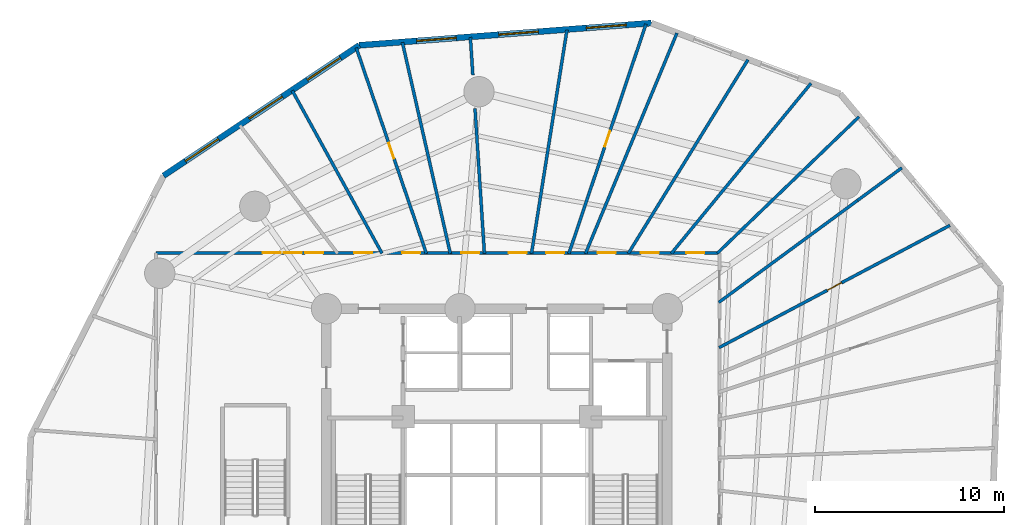
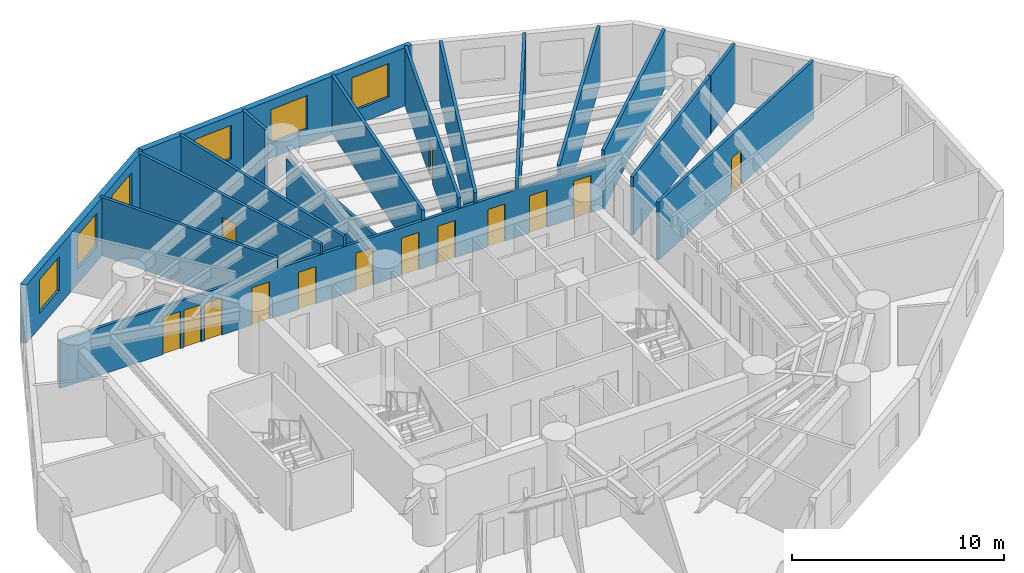
# One storey, part 6 of 8: 17 walls, 14 doors, 6 windows, 20 openings.
"""IFC4 building model written with IfcOpenShell, lengths in metres."""

from ifc_helpers import new_model, si_unit, direction, frame, frame_2d, origin, origin_with_axes, place, context, subcontext, project, spatial, rectangle, extrude, source, transform, mapped, material, layer, layer_set, type_object, element, fill, save


model = new_model("IFC4")

# Units and contexts
model_context = context("Model", 3, precision=1e-05, world=origin(), true_north=direction((0.0, 1.0)))
body_context = subcontext(model_context, "Body", "Model", "MODEL_VIEW")
ifc_project = project(units=[si_unit("LENGTHUNIT", "METRE"), si_unit("AREAUNIT", "SQUARE_METRE"), si_unit("VOLUMEUNIT", "CUBIC_METRE"), si_unit("PLANEANGLEUNIT", "RADIAN"), si_unit("MASSUNIT", "GRAM", prefix="KILO")], contexts=[model_context])

# Site, building, storey
site_placement = place(None, origin())
site = spatial("IfcSite", under=ifc_project, at=site_placement, CompositionType="ELEMENT")
building_placement = place(site_placement, origin())
building = spatial("IfcBuilding", under=site, at=building_placement, Name="Karkom Vertical University and Central Library", CompositionType="ELEMENT")
storey_placement = place(building_placement, frame((0.0, 0.0, 40.89990234375)))
storey = spatial("IfcBuildingStorey", under=building, at=storey_placement, Name="L10", CompositionType="ELEMENT", Elevation=40.89990234375)

# Wall, openings, windows
ifc_material_1 = material(Name="Brick-faced precast concrete C45/55", Category="masonry")
ifc_layer_1 = layer(ifc_material_1, 0.320068359375)
ifc_layer_set_1 = layer_set([ifc_layer_1], Name="Brick-faced precast concrete C45/55")
wall_type_1 = type_object("IfcWallType", Name="ENV-WL-BRK-320", PredefinedType="SOLIDWALL", material=ifc_layer_set_1)
wall_1_placement = place(storey_placement, frame((21.23193359375, 48.6083984375, 0.0), z_axis=(0.0, 0.0, 1.0), x_axis=(-0.832150043839, -0.554550542816, 0.0)))
wall_1 = element("IfcWall", 1, at=wall_1_placement, inside=storey, type_object=wall_type_1, Name="Level 10 Brick-Faced Precast Facade Wall 01", PredefinedType="SOLIDWALL", context=body_context, shape_type="SweptSolid", body=[
    extrude(rectangle(XDim=12.42431640625, YDim=0.320068359375, at=frame_2d((6.212158203125, 0.0))), origin(), (0.0, 0.0, 1.0), 3.35009765625),
])
opening_1_placement = place(wall_1_placement, frame((1.19580078125, 0.0, 0.85009765625)))
opening_1 = element("IfcOpeningElement", 2, at=opening_1_placement, cuts=wall_1, Name="Opening WN-03", PredefinedType="OPENING", context=body_context, shape_type="SweptSolid", body=[
    extrude(rectangle(XDim=2.10009765625, YDim=1.949951171875, at=frame_2d((1.050048828125, 0.97509765625))), frame((0.0, 0.169921875, 0.0), z_axis=(0.0, -1.0, 0.0), x_axis=(1.0, 0.0, 0.0)), (0.0, 0.0, 1.0), 0.340087890625),
])
opening_2_placement = place(wall_1_placement, frame((4.88232421875, 0.0, 0.85009765625)))
opening_2 = element("IfcOpeningElement", 3, at=opening_2_placement, cuts=wall_1, Name="Opening WN-03", PredefinedType="OPENING", context=body_context, shape_type="SweptSolid", body=[
    extrude(rectangle(XDim=2.10009765625, YDim=1.949951171875, at=frame_2d((1.050048828125, 0.97509765625))), frame((0.0, 0.169921875, 0.0), z_axis=(0.0, -1.0, 0.0), x_axis=(1.0, 0.0, 0.0)), (0.0, 0.0, 1.0), 0.340087890625),
])
opening_3_placement = place(wall_1_placement, frame((8.9267578125, 0.0, 0.85009765625)))
opening_3 = element("IfcOpeningElement", 4, at=opening_3_placement, cuts=wall_1, Name="Opening WN-03", PredefinedType="OPENING", context=body_context, shape_type="SweptSolid", body=[
    extrude(rectangle(XDim=2.10009765625, YDim=1.949951171875, at=frame_2d((1.050048828125, 0.97509765625))), frame((0.0, 0.169921875, 0.0), z_axis=(0.0, -1.0, 0.0), x_axis=(1.0, 0.0, 0.0)), (0.0, 0.0, 1.0), 0.340087890625),
])
ifc_material_2 = material(Name="Aluminium thermal-break frame with solar-control IGU", Category="aluminium")
window_type = type_object("IfcWindowType", Name="ENV-WIN-WN-03", PartitioningType="SINGLE_PANEL", PredefinedType="WINDOW", material=ifc_material_2)
shared_shape_1 = source(origin_with_axes(), body_context, "Body", "SweptSolid", [
    extrude(rectangle(XDim=2.10009765625, YDim=1.949951171875, at=frame_2d((1.050048828125, 0.97509765625))), frame((0.0, 0.030029296875, 0.0), z_axis=(0.0, -1.0, 0.0), x_axis=(1.0, 0.0, 0.0)), (0.0, 0.0, 1.0), 0.06005859375),
])
window_1_placement = place(opening_1_placement, origin())
window_1 = element("IfcWindow", 5, at=window_1_placement, inside=storey, type_object=window_type, Name="Level 10 Punched Window 1.1", OverallHeight=1.949951171875, OverallWidth=2.10009765625, PartitioningType="SINGLE_PANEL", PredefinedType="WINDOW", context=body_context, shape_type="MappedRepresentation", body=[
    mapped(shared_shape_1, transform((0.0, 0.0, 0.0), scale=1.0)),
])
fill(opening_1, window_1)
window_2_placement = place(opening_2_placement, origin())
window_2 = element("IfcWindow", 6, at=window_2_placement, inside=storey, type_object=window_type, Name="Level 10 Punched Window 1.2", OverallHeight=1.949951171875, OverallWidth=2.10009765625, PartitioningType="SINGLE_PANEL", PredefinedType="WINDOW", context=body_context, shape_type="MappedRepresentation", body=[
    mapped(shared_shape_1, transform((0.0, 0.0, 0.0), scale=1.0)),
])
fill(opening_2, window_2)
window_3_placement = place(opening_3_placement, origin())
window_3 = element("IfcWindow", 7, at=window_3_placement, inside=storey, type_object=window_type, Name="Level 10 Punched Window 1.3", OverallHeight=1.949951171875, OverallWidth=2.10009765625, PartitioningType="SINGLE_PANEL", PredefinedType="WINDOW", context=body_context, shape_type="MappedRepresentation", body=[
    mapped(shared_shape_1, transform((0.0, 0.0, 0.0), scale=1.0)),
])
fill(opening_3, window_3)

wall_2_placement = place(storey_placement, frame((36.651123046875, 49.783203125, 0.0), z_axis=(0.0, 0.0, 1.0), x_axis=(-0.997110035998, -0.075970889897, 0.0)))
wall_2 = element("IfcWall", 8, at=wall_2_placement, inside=storey, type_object=wall_type_1, Name="Level 10 Brick-Faced Precast Facade Wall 12", PredefinedType="SOLIDWALL", context=body_context, shape_type="SweptSolid", body=[
    extrude(rectangle(XDim=15.4638671875, YDim=0.320068359375, at=frame_2d((7.73193359375, 0.0))), origin(), (0.0, 0.0, 1.0), 3.35009765625),
])
opening_4_placement = place(wall_2_placement, frame((1.338623046875, 0.0, 0.85009765625)))
opening_4 = element("IfcOpeningElement", 9, at=opening_4_placement, cuts=wall_2, Name="Opening WN-03", PredefinedType="OPENING", context=body_context, shape_type="SweptSolid", body=[
    extrude(rectangle(XDim=2.10009765625, YDim=1.949951171875, at=frame_2d((1.050048828125, 0.97509765625))), frame((0.0, 0.169921875, 0.0), z_axis=(0.0, -1.0, 0.0), x_axis=(1.0, 0.0, 0.0)), (0.0, 0.0, 1.0), 0.340087890625),
])
opening_5_placement = place(wall_2_placement, frame((5.9814453125, 0.0, 0.85009765625)))
opening_5 = element("IfcOpeningElement", 10, at=opening_5_placement, cuts=wall_2, Name="Opening WN-03", PredefinedType="OPENING", context=body_context, shape_type="SweptSolid", body=[
    extrude(rectangle(XDim=2.10009765625, YDim=1.949951171875, at=frame_2d((1.050048828125, 0.97509765625))), frame((0.0, 0.169921875, 0.0), z_axis=(0.0, -1.0, 0.0), x_axis=(1.0, 0.0, 0.0)), (0.0, 0.0, 1.0), 0.340087890625),
])
opening_6_placement = place(wall_2_placement, frame((10.330810546875, 0.0, 0.85009765625)))
opening_6 = element("IfcOpeningElement", 11, at=opening_6_placement, cuts=wall_2, Name="Opening WN-03", PredefinedType="OPENING", context=body_context, shape_type="SweptSolid", body=[
    extrude(rectangle(XDim=2.10009765625, YDim=1.949951171875, at=frame_2d((1.050048828125, 0.97509765625))), frame((0.0, 0.169921875, 0.0), z_axis=(0.0, -1.0, 0.0), x_axis=(1.0, 0.0, 0.0)), (0.0, 0.0, 1.0), 0.340087890625),
])
window_4_placement = place(opening_4_placement, origin())
window_4 = element("IfcWindow", 12, at=window_4_placement, inside=storey, type_object=window_type, Name="Level 10 Punched Window 12.1", OverallHeight=1.949951171875, OverallWidth=2.10009765625, PartitioningType="SINGLE_PANEL", PredefinedType="WINDOW", context=body_context, shape_type="MappedRepresentation", body=[
    mapped(shared_shape_1, transform((0.0, 0.0, 0.0), scale=1.0)),
])
fill(opening_4, window_4)
window_5_placement = place(opening_5_placement, origin())
window_5 = element("IfcWindow", 13, at=window_5_placement, inside=storey, type_object=window_type, Name="Level 10 Punched Window 12.2", OverallHeight=1.949951171875, OverallWidth=2.10009765625, PartitioningType="SINGLE_PANEL", PredefinedType="WINDOW", context=body_context, shape_type="MappedRepresentation", body=[
    mapped(shared_shape_1, transform((0.0, 0.0, 0.0), scale=1.0)),
])
fill(opening_5, window_5)
window_6_placement = place(opening_6_placement, origin())
window_6 = element("IfcWindow", 14, at=window_6_placement, inside=storey, type_object=window_type, Name="Level 10 Punched Window 12.3", OverallHeight=1.949951171875, OverallWidth=2.10009765625, PartitioningType="SINGLE_PANEL", PredefinedType="WINDOW", context=body_context, shape_type="MappedRepresentation", body=[
    mapped(shared_shape_1, transform((0.0, 0.0, 0.0), scale=1.0)),
])
fill(opening_6, window_6)

# Wall, openings, doors
ifc_material_3 = material(Name="Insulated metal-stud drywall 160mm", Category="gypsum")
ifc_layer_2 = layer(ifc_material_3, 0.159912109375)
ifc_layer_set_2 = layer_set([ifc_layer_2], Name="Insulated metal-stud drywall 160mm")
wall_type_2 = type_object("IfcWallType", Name="INT-WL-COR-160", PredefinedType="PARTITIONING", material=ifc_layer_set_2)
wall_3_placement = place(storey_placement, frame((10.5, 37.64990234375, 0.0), z_axis=(0.0, 0.0, 1.0), x_axis=(1.0, 0.0, 0.0)))
wall_3 = element("IfcWall", 15, at=wall_3_placement, inside=storey, type_object=wall_type_2, Name="Level 10 Interior Partition Wall L10-CORW-CW-003", PredefinedType="PARTITIONING", context=body_context, shape_type="SweptSolid", body=[
    extrude(rectangle(XDim=29.75, YDim=0.159912109375, at=frame_2d((14.875, 0.0))), origin(), (0.0, 0.0, 1.0), 2.75),
])
opening_7_placement = place(wall_3_placement, frame((27.998046875, 0.0, 0.0)))
opening_7 = element("IfcOpeningElement", 16, at=opening_7_placement, cuts=wall_3, Name="Opening D-RM1", PredefinedType="OPENING", context=body_context, shape_type="SweptSolid", body=[
    extrude(rectangle(XDim=0.949951171875, YDim=2.14990234375, at=frame_2d((0.47509765625, 1.074951171875))), frame((0.0, 0.08984375, 0.0), z_axis=(0.0, -1.0, 0.0), x_axis=(1.0, 0.0, 0.0)), (0.0, 0.0, 1.0), 0.179931640625),
])
opening_8_placement = place(wall_3_placement, frame((25.59912109375, 0.0, 0.0)))
opening_8 = element("IfcOpeningElement", 17, at=opening_8_placement, cuts=wall_3, Name="Opening D-RM1", PredefinedType="OPENING", context=body_context, shape_type="SweptSolid", body=[
    extrude(rectangle(XDim=0.949951171875, YDim=2.14990234375, at=frame_2d((0.47509765625, 1.074951171875))), frame((0.0, 0.08984375, 0.0), z_axis=(0.0, -1.0, 0.0), x_axis=(1.0, 0.0, 0.0)), (0.0, 0.0, 1.0), 0.179931640625),
])
opening_9_placement = place(wall_3_placement, frame((23.31884765625, 0.0, 0.0)))
opening_9 = element("IfcOpeningElement", 18, at=opening_9_placement, cuts=wall_3, Name="Opening D-RM1", PredefinedType="OPENING", context=body_context, shape_type="SweptSolid", body=[
    extrude(rectangle(XDim=0.949951171875, YDim=2.14990234375, at=frame_2d((0.47509765625, 1.074951171875))), frame((0.0, 0.08984375, 0.0), z_axis=(0.0, -1.0, 0.0), x_axis=(1.0, 0.0, 0.0)), (0.0, 0.0, 1.0), 0.179931640625),
])
opening_10_placement = place(wall_3_placement, frame((20.597412109375, 0.0, 0.0)))
opening_10 = element("IfcOpeningElement", 19, at=opening_10_placement, cuts=wall_3, Name="Opening D-RM1", PredefinedType="OPENING", context=body_context, shape_type="SweptSolid", body=[
    extrude(rectangle(XDim=0.949951171875, YDim=2.14990234375, at=frame_2d((0.47509765625, 1.074951171875))), frame((0.0, 0.08984375, 0.0), z_axis=(0.0, -1.0, 0.0), x_axis=(1.0, 0.0, 0.0)), (0.0, 0.0, 1.0), 0.179931640625),
])
opening_11_placement = place(wall_3_placement, frame((18.611083984375, 0.0, 0.0)))
opening_11 = element("IfcOpeningElement", 20, at=opening_11_placement, cuts=wall_3, Name="Opening D-RM1", PredefinedType="OPENING", context=body_context, shape_type="SweptSolid", body=[
    extrude(rectangle(XDim=0.949951171875, YDim=2.14990234375, at=frame_2d((0.47509765625, 1.074951171875))), frame((0.0, 0.08984375, 0.0), z_axis=(0.0, -1.0, 0.0), x_axis=(1.0, 0.0, 0.0)), (0.0, 0.0, 1.0), 0.179931640625),
])
opening_12_placement = place(wall_3_placement, frame((16.12255859375, 0.0, 0.0)))
opening_12 = element("IfcOpeningElement", 21, at=opening_12_placement, cuts=wall_3, Name="Opening D-RM1", PredefinedType="OPENING", context=body_context, shape_type="SweptSolid", body=[
    extrude(rectangle(XDim=0.949951171875, YDim=2.14990234375, at=frame_2d((0.47509765625, 1.074951171875))), frame((0.0, 0.08984375, 0.0), z_axis=(0.0, -1.0, 0.0), x_axis=(1.0, 0.0, 0.0)), (0.0, 0.0, 1.0), 0.179931640625),
])
opening_13_placement = place(wall_3_placement, frame((12.99609375, 0.0, 0.0)))
opening_13 = element("IfcOpeningElement", 22, at=opening_13_placement, cuts=wall_3, Name="Opening D-RM1", PredefinedType="OPENING", context=body_context, shape_type="SweptSolid", body=[
    extrude(rectangle(XDim=0.949951171875, YDim=2.14990234375, at=frame_2d((0.47509765625, 1.074951171875))), frame((0.0, 0.08984375, 0.0), z_axis=(0.0, -1.0, 0.0), x_axis=(1.0, 0.0, 0.0)), (0.0, 0.0, 1.0), 0.179931640625),
])
opening_14_placement = place(wall_3_placement, frame((10.4599609375, 0.0, 0.0)))
opening_14 = element("IfcOpeningElement", 23, at=opening_14_placement, cuts=wall_3, Name="Opening D-RM1", PredefinedType="OPENING", context=body_context, shape_type="SweptSolid", body=[
    extrude(rectangle(XDim=0.949951171875, YDim=2.14990234375, at=frame_2d((0.47509765625, 1.074951171875))), frame((0.0, 0.08984375, 0.0), z_axis=(0.0, -1.0, 0.0), x_axis=(1.0, 0.0, 0.0)), (0.0, 0.0, 1.0), 0.179931640625),
])
opening_15_placement = place(wall_3_placement, frame((7.8759765625, 0.0, 0.0)))
opening_15 = element("IfcOpeningElement", 24, at=opening_15_placement, cuts=wall_3, Name="Opening D-RM1", PredefinedType="OPENING", context=body_context, shape_type="SweptSolid", body=[
    extrude(rectangle(XDim=0.949951171875, YDim=2.14990234375, at=frame_2d((0.47509765625, 1.074951171875))), frame((0.0, 0.08984375, 0.0), z_axis=(0.0, -1.0, 0.0), x_axis=(1.0, 0.0, 0.0)), (0.0, 0.0, 1.0), 0.179931640625),
])
opening_16_placement = place(wall_3_placement, frame((6.74755859375, 0.0, 0.0)))
opening_16 = element("IfcOpeningElement", 25, at=opening_16_placement, cuts=wall_3, Name="Opening D-RM1", PredefinedType="OPENING", context=body_context, shape_type="SweptSolid", body=[
    extrude(rectangle(XDim=0.949951171875, YDim=2.14990234375, at=frame_2d((0.47509765625, 1.074951171875))), frame((0.0, 0.08984375, 0.0), z_axis=(0.0, -1.0, 0.0), x_axis=(1.0, 0.0, 0.0)), (0.0, 0.0, 1.0), 0.179931640625),
])
opening_17_placement = place(wall_3_placement, frame((5.62255859375, 0.0, 0.0)))
opening_17 = element("IfcOpeningElement", 26, at=opening_17_placement, cuts=wall_3, Name="Opening D-RM1", PredefinedType="OPENING", context=body_context, shape_type="SweptSolid", body=[
    extrude(rectangle(XDim=0.949951171875, YDim=2.14990234375, at=frame_2d((0.47509765625, 1.074951171875))), frame((0.0, 0.08984375, 0.0), z_axis=(0.0, -1.0, 0.0), x_axis=(1.0, 0.0, 0.0)), (0.0, 0.0, 1.0), 0.179931640625),
])
ifc_material_4 = material(Name="Solid-core oak veneer door", Category="wood")
door_type_1 = type_object("IfcDoorType", Name="INT-DR-RM1", OperationType="NOTDEFINED", PredefinedType="DOOR", material=ifc_material_4)
shared_shape_2 = source(origin_with_axes(), body_context, "Body", "SweptSolid", [
    extrude(rectangle(XDim=0.949951171875, YDim=2.14990234375, at=frame_2d((0.47509765625, 1.074951171875))), frame((0.0, 0.02490234375, 0.0), z_axis=(0.0, -1.0, 0.0), x_axis=(1.0, 0.0, 0.0)), (0.0, 0.0, 1.0), 0.050048828125),
])
door_1_placement = place(opening_7_placement, origin())
door_1 = element("IfcDoor", 27, at=door_1_placement, inside=storey, type_object=door_type_1, Name="Level 10 Room Entry Door 190", OperationType="SINGLE_SWING_LEFT", OverallHeight=2.14990234375, OverallWidth=0.949951171875, PredefinedType="DOOR", context=body_context, shape_type="MappedRepresentation", body=[
    mapped(shared_shape_2, transform((0.0, 0.0, 0.0), scale=1.0)),
])
fill(opening_7, door_1)
door_2_placement = place(opening_8_placement, origin())
door_2 = element("IfcDoor", 28, at=door_2_placement, inside=storey, type_object=door_type_1, Name="Level 10 Room Entry Door 200", OperationType="SINGLE_SWING_RIGHT", OverallHeight=2.14990234375, OverallWidth=0.949951171875, PredefinedType="DOOR", context=body_context, shape_type="MappedRepresentation", body=[
    mapped(shared_shape_2, transform((0.0, 0.0, 0.0), scale=1.0)),
])
fill(opening_8, door_2)
door_3_placement = place(opening_9_placement, origin())
door_3 = element("IfcDoor", 29, at=door_3_placement, inside=storey, type_object=door_type_1, Name="Level 10 Room Entry Door 210", OperationType="SINGLE_SWING_LEFT", OverallHeight=2.14990234375, OverallWidth=0.949951171875, PredefinedType="DOOR", context=body_context, shape_type="MappedRepresentation", body=[
    mapped(shared_shape_2, transform((0.0, 0.0, 0.0), scale=1.0)),
])
fill(opening_9, door_3)
door_4_placement = place(opening_10_placement, origin())
door_4 = element("IfcDoor", 30, at=door_4_placement, inside=storey, type_object=door_type_1, Name="Level 10 Room Entry Door 220", OperationType="SINGLE_SWING_RIGHT", OverallHeight=2.14990234375, OverallWidth=0.949951171875, PredefinedType="DOOR", context=body_context, shape_type="MappedRepresentation", body=[
    mapped(shared_shape_2, transform((0.0, 0.0, 0.0), scale=1.0)),
])
fill(opening_10, door_4)
door_5_placement = place(opening_11_placement, origin())
door_5 = element("IfcDoor", 31, at=door_5_placement, inside=storey, type_object=door_type_1, Name="Level 10 Room Entry Door 230", OperationType="SINGLE_SWING_LEFT", OverallHeight=2.14990234375, OverallWidth=0.949951171875, PredefinedType="DOOR", context=body_context, shape_type="MappedRepresentation", body=[
    mapped(shared_shape_2, transform((0.0, 0.0, 0.0), scale=1.0)),
])
fill(opening_11, door_5)
door_6_placement = place(opening_12_placement, origin())
door_6 = element("IfcDoor", 32, at=door_6_placement, inside=storey, type_object=door_type_1, Name="Level 10 Room Entry Door 240", OperationType="SINGLE_SWING_RIGHT", OverallHeight=2.14990234375, OverallWidth=0.949951171875, PredefinedType="DOOR", context=body_context, shape_type="MappedRepresentation", body=[
    mapped(shared_shape_2, transform((0.0, 0.0, 0.0), scale=1.0)),
])
fill(opening_12, door_6)
door_7_placement = place(opening_13_placement, origin())
door_7 = element("IfcDoor", 33, at=door_7_placement, inside=storey, type_object=door_type_1, Name="Level 10 Room Entry Door 250", OperationType="SINGLE_SWING_LEFT", OverallHeight=2.14990234375, OverallWidth=0.949951171875, PredefinedType="DOOR", context=body_context, shape_type="MappedRepresentation", body=[
    mapped(shared_shape_2, transform((0.0, 0.0, 0.0), scale=1.0)),
])
fill(opening_13, door_7)
door_8_placement = place(opening_14_placement, origin())
door_8 = element("IfcDoor", 34, at=door_8_placement, inside=storey, type_object=door_type_1, Name="Level 10 Room Entry Door 260", OperationType="SINGLE_SWING_RIGHT", OverallHeight=2.14990234375, OverallWidth=0.949951171875, PredefinedType="DOOR", context=body_context, shape_type="MappedRepresentation", body=[
    mapped(shared_shape_2, transform((0.0, 0.0, 0.0), scale=1.0)),
])
fill(opening_14, door_8)
door_9_placement = place(opening_15_placement, origin())
door_9 = element("IfcDoor", 35, at=door_9_placement, inside=storey, type_object=door_type_1, Name="Level 10 Room Entry Door 270", OperationType="SINGLE_SWING_LEFT", OverallHeight=2.14990234375, OverallWidth=0.949951171875, PredefinedType="DOOR", context=body_context, shape_type="MappedRepresentation", body=[
    mapped(shared_shape_2, transform((0.0, 0.0, 0.0), scale=1.0)),
])
fill(opening_15, door_9)
door_10_placement = place(opening_16_placement, origin())
door_10 = element("IfcDoor", 36, at=door_10_placement, inside=storey, type_object=door_type_1, Name="Level 10 Room Entry Door 280", OperationType="SINGLE_SWING_RIGHT", OverallHeight=2.14990234375, OverallWidth=0.949951171875, PredefinedType="DOOR", context=body_context, shape_type="MappedRepresentation", body=[
    mapped(shared_shape_2, transform((0.0, 0.0, 0.0), scale=1.0)),
])
fill(opening_16, door_10)
door_11_placement = place(opening_17_placement, origin())
door_11 = element("IfcDoor", 37, at=door_11_placement, inside=storey, type_object=door_type_1, Name="Level 10 Room Entry Door 290", OperationType="SINGLE_SWING_LEFT", OverallHeight=2.14990234375, OverallWidth=0.949951171875, PredefinedType="DOOR", context=body_context, shape_type="MappedRepresentation", body=[
    mapped(shared_shape_2, transform((0.0, 0.0, 0.0), scale=1.0)),
])
fill(opening_17, door_11)

# Wall, opening, door
wall_4_placement = place(storey_placement, frame((40.223388671875, 32.643310546875, 0.0), z_axis=(0.0, 0.0, 1.0), x_axis=(0.88365057227, 0.46814705609, 0.0)))
wall_4 = element("IfcWall", 38, at=wall_4_placement, inside=storey, type_object=wall_type_2, Name="Level 10 Interior Partition Wall L10-PW-023", PredefinedType="PARTITIONING", context=body_context, shape_type="SweptSolid", body=[
    extrude(rectangle(XDim=13.796875, YDim=0.159912109375, at=frame_2d((6.8984375, 0.0))), origin(), (0.0, 0.0, 1.0), 3.35009765625),
])
opening_18_placement = place(wall_4_placement, frame((6.468505859375, 0.0, 0.0)))
opening_18 = element("IfcOpeningElement", 39, at=opening_18_placement, cuts=wall_4, Name="Opening FD-BTH2", PredefinedType="OPENING", context=body_context, shape_type="SweptSolid", body=[
    extrude(rectangle(XDim=0.860107421875, YDim=2.0400390625, at=frame_2d((0.43017578125, 1.02001953125))), frame((0.0, 0.08984375, 0.0), z_axis=(0.0, -1.0, 0.0), x_axis=(1.0, 0.0, 0.0)), (0.0, 0.0, 1.0), 0.179931640625),
])
ifc_material_5 = material(Name="Fire-rated moisture-resistant oak door", Category="wood")
door_type_2 = type_object("IfcDoorType", Name="INT-DR-FBTH2", OperationType="NOTDEFINED", PredefinedType="DOOR", material=ifc_material_5)
shared_shape_3 = source(origin_with_axes(), body_context, "Body", "SweptSolid", [
    extrude(rectangle(XDim=0.860107421875, YDim=2.0400390625, at=frame_2d((0.43017578125, 1.02001953125))), frame((0.0, 0.02490234375, 0.0), z_axis=(0.0, -1.0, 0.0), x_axis=(1.0, 0.0, 0.0)), (0.0, 0.0, 1.0), 0.050048828125),
])
door_12_placement = place(opening_18_placement, origin())
door_12 = element("IfcDoor", 40, at=door_12_placement, inside=storey, type_object=door_type_2, Name="Level 10 Academic Collaborative Study Lounge Entry Door", OperationType="SINGLE_SWING_LEFT", OverallHeight=2.0400390625, OverallWidth=0.860107421875, PredefinedType="DOOR", context=body_context, shape_type="MappedRepresentation", body=[
    mapped(shared_shape_3, transform((0.0, 0.0, 0.0), scale=1.0)),
])
fill(opening_18, door_12)

wall_5_placement = place(storey_placement, frame((32.295166015625, 37.607421875, 0.0), z_axis=(0.0, 0.0, 1.0), x_axis=(0.318505986537, 0.947920849301, 0.0)))
wall_5 = element("IfcWall", 41, at=wall_5_placement, inside=storey, type_object=wall_type_2, Name="Level 10 Interior Partition Wall L10-PW-030", PredefinedType="PARTITIONING", context=body_context, shape_type="SweptSolid", body=[
    extrude(rectangle(XDim=12.7900390625, YDim=0.159912109375, at=frame_2d((6.39501953125, 0.0))), origin(), (0.0, 0.0, 1.0), 3.35009765625),
])
opening_19_placement = place(wall_5_placement, frame((5.965087890625, 0.0, 0.0)))
opening_19 = element("IfcOpeningElement", 42, at=opening_19_placement, cuts=wall_5, Name="Opening FD-BTH2", PredefinedType="OPENING", context=body_context, shape_type="SweptSolid", body=[
    extrude(rectangle(XDim=0.860107421875, YDim=2.0400390625, at=frame_2d((0.43017578125, 1.02001953125))), frame((0.0, 0.08984375, 0.0), z_axis=(0.0, -1.0, 0.0), x_axis=(1.0, 0.0, 0.0)), (0.0, 0.0, 1.0), 0.179931640625),
])
door_13_placement = place(opening_19_placement, origin())
door_13 = element("IfcDoor", 43, at=door_13_placement, inside=storey, type_object=door_type_2, Name="Level 10 Academic Collaborative Study Lounge Entry Door", OperationType="SINGLE_SWING_RIGHT", OverallHeight=2.0400390625, OverallWidth=0.860107421875, PredefinedType="DOOR", context=body_context, shape_type="MappedRepresentation", body=[
    mapped(shared_shape_3, transform((0.0, 0.0, 0.0), scale=1.0)),
])
fill(opening_19, door_13)

# Walls
wall_6_placement = place(storey_placement, frame((33.173095703125, 37.6083984375, 0.0), z_axis=(0.0, 0.0, 1.0), x_axis=(0.383169413705, 0.923678082668, 0.0)))
element("IfcWall", 44, at=wall_6_placement, inside=storey, type_object=wall_type_2, Name="Level 10 Interior Partition Wall L10-PW-029", PredefinedType="PARTITIONING", context=body_context, shape_type="SweptSolid", body=[
    extrude(rectangle(XDim=12.604248046875, YDim=0.159912109375, at=frame_2d((6.30224609375, 0.0))), origin(), (0.0, 0.0, 1.0), 3.35009765625),
])
wall_7_placement = place(storey_placement, frame((35.432373046875, 37.61181640625, 0.0), z_axis=(0.0, 0.0, 1.0), x_axis=(0.525422876005, 0.850841231588, 0.0)))
element("IfcWall", 45, at=wall_7_placement, inside=storey, type_object=wall_type_2, Name="Level 10 Interior Partition Wall L10-PW-028", PredefinedType="PARTITIONING", context=body_context, shape_type="SweptSolid", body=[
    extrude(rectangle(XDim=12.028564453125, YDim=0.159912109375, at=frame_2d((6.01416015625, 0.0))), origin(), (0.0, 0.0, 1.0), 3.35009765625),
])
wall_8_placement = place(storey_placement, frame((30.322509765625, 37.605712890625, 0.0), z_axis=(0.0, 0.0, 1.0), x_axis=(0.156643954474, 0.987655137954, 0.0)))
element("IfcWall", 46, at=wall_8_placement, inside=storey, type_object=wall_type_2, Name="Level 10 Interior Partition Wall L10-PW-031", PredefinedType="PARTITIONING", context=body_context, shape_type="SweptSolid", body=[
    extrude(rectangle(XDim=11.958984375, YDim=0.159912109375, at=frame_2d((5.9794921875, 0.0))), origin(), (0.0, 0.0, 1.0), 3.35009765625),
])
wall_9_placement = place(storey_placement, frame((37.70361328125, 37.615234375, 0.0), z_axis=(0.0, 0.0, 1.0), x_axis=(0.634552182482, 0.772880021547, 0.0)))
element("IfcWall", 47, at=wall_9_placement, inside=storey, type_object=wall_type_2, Name="Level 10 Interior Partition Wall L10-PW-027", PredefinedType="PARTITIONING", context=body_context, shape_type="SweptSolid", body=[
    extrude(rectangle(XDim=11.6240234375, YDim=0.159912109375, at=frame_2d((5.81201171875, 0.0))), origin(), (0.0, 0.0, 1.0), 3.35009765625),
])

# Wall, opening, door
wall_10_placement = place(storey_placement, frame((24.77734375, 37.607421875, 0.0), z_axis=(0.0, 0.0, 1.0), x_axis=(-0.32262758447, 0.94652598577, 0.0)))
wall_10 = element("IfcWall", 48, at=wall_10_placement, inside=storey, type_object=wall_type_2, Name="Level 10 Interior Partition Wall L10-PW-035", PredefinedType="PARTITIONING", context=body_context, shape_type="SweptSolid", body=[
    extrude(rectangle(XDim=11.477294921875, YDim=0.159912109375, at=frame_2d((5.73876953125, 0.0))), origin(), (0.0, 0.0, 1.0), 3.35009765625),
])
opening_20_placement = place(wall_10_placement, frame((5.30859375, 0.0, 0.0)))
opening_20 = element("IfcOpeningElement", 49, at=opening_20_placement, cuts=wall_10, Name="Opening FD-BTH2", PredefinedType="OPENING", context=body_context, shape_type="SweptSolid", body=[
    extrude(rectangle(XDim=0.860107421875, YDim=2.0400390625, at=frame_2d((0.43017578125, 1.02001953125))), frame((0.0, 0.08984375, 0.0), z_axis=(0.0, -1.0, 0.0), x_axis=(1.0, 0.0, 0.0)), (0.0, 0.0, 1.0), 0.179931640625),
])
door_14_placement = place(opening_20_placement, origin())
door_14 = element("IfcDoor", 50, at=door_14_placement, inside=storey, type_object=door_type_2, Name="Level 10 Academic Collaborative Study Lounge Entry Door", OperationType="SINGLE_SWING_LEFT", OverallHeight=2.0400390625, OverallWidth=0.860107421875, PredefinedType="DOOR", context=body_context, shape_type="MappedRepresentation", body=[
    mapped(shared_shape_3, transform((0.0, 0.0, 0.0), scale=1.0)),
])
fill(opening_20, door_14)

# Walls
wall_11_placement = place(storey_placement, frame((26.0400390625, 37.606201171875, 0.0), z_axis=(0.0, 0.0, 1.0), x_axis=(-0.221386676944, 0.975186104942, 0.0)))
element("IfcWall", 51, at=wall_11_placement, inside=storey, type_object=wall_type_2, Name="Level 10 Interior Partition Wall L10-PW-034", PredefinedType="PARTITIONING", context=body_context, shape_type="SweptSolid", body=[
    extrude(rectangle(XDim=11.43359375, YDim=0.159912109375, at=frame_2d((5.716796875, 0.0))), origin(), (0.0, 0.0, 1.0), 3.35009765625),
])
wall_12_placement = place(storey_placement, frame((40.13671875, 37.629150390625, 0.0), z_axis=(0.0, 0.0, 1.0), x_axis=(0.720098619119, 0.693871730757, 0.0)))
element("IfcWall", 52, at=wall_12_placement, inside=storey, type_object=wall_type_2, Name="Level 10 Interior Partition Wall L10-PW-026", PredefinedType="PARTITIONING", context=body_context, shape_type="SweptSolid", body=[
    extrude(rectangle(XDim=10.37939453125, YDim=0.159912109375, at=frame_2d((5.189697265625, 0.0))), origin(), (0.0, 0.0, 1.0), 3.35009765625),
])
wall_13_placement = place(storey_placement, frame((22.431640625, 37.623779296875, 0.0), z_axis=(0.0, 0.0, 1.0), x_axis=(-0.483043149999, 0.875596548211, 0.0)))
element("IfcWall", 53, at=wall_13_placement, inside=storey, type_object=wall_type_2, Name="Level 10 Interior Partition Wall L10-PW-036", PredefinedType="PARTITIONING", context=body_context, shape_type="SweptSolid", body=[
    extrude(rectangle(XDim=9.815185546875, YDim=0.159912109375, at=frame_2d((4.90771484375, 0.0))), origin(), (0.0, 0.0, 1.0), 3.35009765625),
])
wall_14_placement = place(storey_placement, frame((40.213623046875, 35.03515625, 0.0), z_axis=(0.0, 0.0, 1.0), x_axis=(0.805769809624, 0.59222885264, 0.0)))
element("IfcWall", 54, at=wall_14_placement, inside=storey, type_object=wall_type_2, Name="Level 10 Interior Partition Wall L10-PW-025", PredefinedType="PARTITIONING", context=body_context, shape_type="SweptSolid", body=[
    extrude(rectangle(XDim=9.085693359375, YDim=0.159912109375, at=frame_2d((4.54296875, 0.0))), origin(), (0.0, 0.0, 1.0), 3.35009765625),
])
wall_15_placement = place(storey_placement, frame((27.8388671875, 37.60498046875, 0.0), z_axis=(0.0, 0.0, 1.0), x_axis=(-0.064822006833, 0.997896842078, 0.0)))
element("IfcWall", 55, at=wall_15_placement, inside=storey, type_object=wall_type_2, Name="Level 10 Interior Partition Wall L10-PW-032", PredefinedType="PARTITIONING", context=body_context, shape_type="SweptSolid", body=[
    extrude(rectangle(XDim=7.68701171875, YDim=0.159912109375, at=frame_2d((3.843505859375, 0.0))), origin(), (0.0, 0.0, 1.0), 2.7001953125),
])
wall_16_placement = place(storey_placement, frame((47.538818359375, 40.4189453125, 0.0), z_axis=(0.0, 0.0, 1.0), x_axis=(0.805763100635, 0.592237980592, 0.0)))
element("IfcWall", 56, at=wall_16_placement, inside=storey, type_object=wall_type_2, Name="Level 10 Interior Partition Wall L10-PW-024", PredefinedType="PARTITIONING", context=body_context, shape_type="SweptSolid", body=[
    extrude(rectangle(XDim=2.904296875, YDim=0.159912109375, at=frame_2d((1.4521484375, 0.0))), origin(), (0.0, 0.0, 1.0), 3.35009765625),
])
wall_17_placement = place(storey_placement, frame((27.226318359375, 47.035888671875, 0.0), z_axis=(0.0, 0.0, 1.0), x_axis=(-0.064872853647, 0.997893537838, 0.0)))
element("IfcWall", 57, at=wall_17_placement, inside=storey, type_object=wall_type_2, Name="Level 10 Interior Partition Wall L10-PW-033", PredefinedType="PARTITIONING", context=body_context, shape_type="SweptSolid", body=[
    extrude(rectangle(XDim=1.998291015625, YDim=0.159912109375, at=frame_2d((0.9990234375, 0.0))), origin(), (0.0, 0.0, 1.0), 3.35009765625),
])

save(model, "model.ifc")
